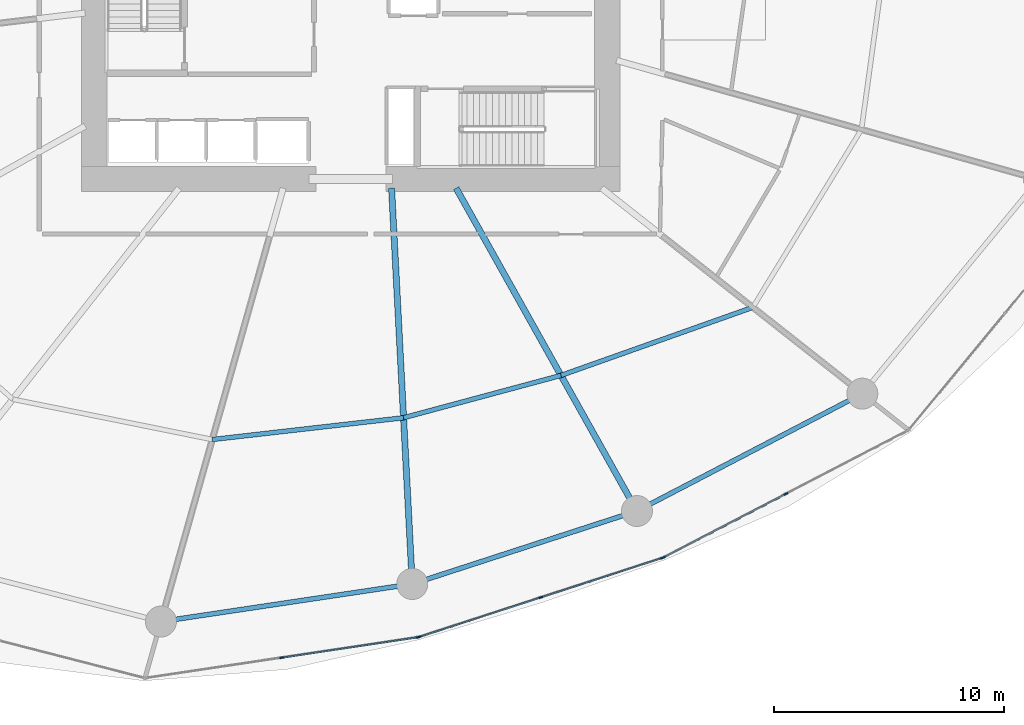
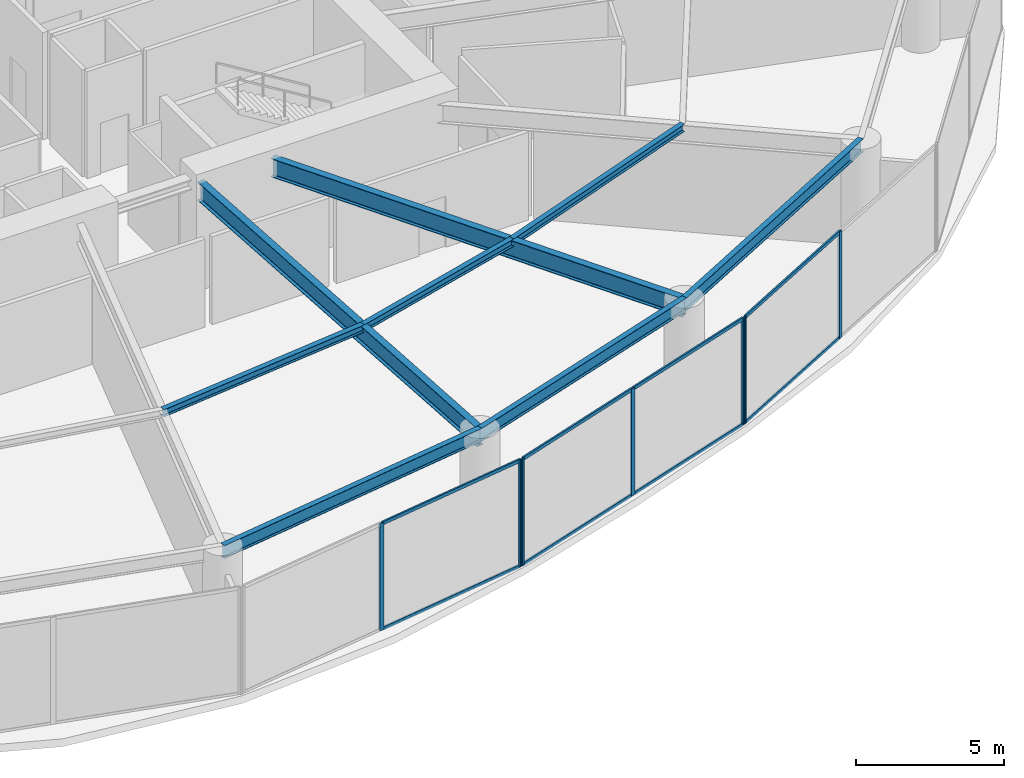
# One storey, part 9 of 22: 15 members, 8 beams, 3 elements without a shape of their own.
"""IFC4 building model written with IfcOpenShell, lengths in metres."""

from ifc_helpers import new_model, si_unit, direction, frame, origin, origin_2d, place, context, subcontext, project, spatial, rectangle, i_section, extrude, material, layer, layer_set, material_profile, profile_set, type_object, element, aggregate, save


model = new_model("IFC4")

# Units and contexts
model_context = context("Model", 3, precision=1e-05, world=origin(), true_north=direction((0.0, 1.0)))
body_context = subcontext(model_context, "Body", "Model", "MODEL_VIEW")
ifc_project = project(units=[si_unit("LENGTHUNIT", "METRE"), si_unit("AREAUNIT", "SQUARE_METRE"), si_unit("VOLUMEUNIT", "CUBIC_METRE"), si_unit("PLANEANGLEUNIT", "RADIAN"), si_unit("MASSUNIT", "GRAM", prefix="KILO")], contexts=[model_context])

# Site, building, storey
site_placement = place(None, origin())
site = spatial("IfcSite", under=ifc_project, at=site_placement, CompositionType="ELEMENT")
building_placement = place(site_placement, origin())
building = spatial("IfcBuilding", under=site, at=building_placement, Name="Kazma Halo Residences", CompositionType="ELEMENT")
storey_placement = place(building_placement, frame((0.0, 0.0, 16.800048828125)))
storey = spatial("IfcBuildingStorey", under=building, at=storey_placement, Name="L03", CompositionType="ELEMENT", Elevation=16.800048828125)

# Beams
ifc_material_1 = material(Name="Steel S355", Category="steel")
ifc_material_profile_1 = material_profile(ifc_material_1, i_section(OverallWidth=0.26708984375, OverallDepth=0.761962890625, WebThickness=0.014404296875, FlangeThickness=0.021484375, FilletRadius=0.02001953125, at=origin_2d()), Name="W760x173")
ifc_profile_set_1 = profile_set([ifc_material_profile_1], Name="Steel S355")
beam_type_1 = type_object("IfcBeamType", Name="BM-POD-W760", PredefinedType="BEAM", material=ifc_profile_set_1)
beam_1_placement = place(storey_placement, frame((50.199951171875, 33.050048828125, 4.01904296875), z_axis=(0.052151471652, -0.998639186095, 0.0), x_axis=(0.998639186095, 0.052151471652, 0.0)))
element("IfcBeam", 1, at=beam_1_placement, inside=storey, type_object=beam_type_1, Name="L03 radial floor beam 12", PredefinedType="BEAM", context=body_context, shape_type="SweptSolid", body=[
    extrude(i_section(OverallWidth=0.26708984375, OverallDepth=0.761962890625, WebThickness=0.014404296875, FlangeThickness=0.021484375, FilletRadius=0.02001953125, at=origin_2d()), origin(), (0.0, 0.0, 1.0), 17.26953125),
])
beam_2_placement = place(storey_placement, frame((53.01220703125, 33.050048828125, 4.01904296875), z_axis=(0.488623198121, -0.872494911308, 0.0), x_axis=(0.872494911308, 0.488623198121, 0.0)))
element("IfcBeam", 2, at=beam_2_placement, inside=storey, type_object=beam_type_1, Name="L03 radial floor beam 13", PredefinedType="BEAM", context=body_context, shape_type="SweptSolid", body=[
    extrude(i_section(OverallWidth=0.26708984375, OverallDepth=0.761962890625, WebThickness=0.014404296875, FlangeThickness=0.021484375, FilletRadius=0.02001953125, at=origin_2d()), origin(), (0.0, 0.0, 1.0), 16.12109375),
])
ifc_material_profile_2 = material_profile(ifc_material_1, i_section(OverallWidth=0.202880859375, OverallDepth=0.302978515625, WebThickness=0.007568359375, FlangeThickness=0.01318359375, FilletRadius=0.013916015625, at=origin_2d()), Name="W310x60")
ifc_profile_set_2 = profile_set([ifc_material_profile_2], Name="Steel S355")
beam_type_2 = type_object("IfcBeamType", Name="BM-SEC-W310A", PredefinedType="JOIST", material=ifc_profile_set_2)
beam_3_placement = place(storey_placement, frame((42.38720703125, 22.098876953125, 4.24853515625), z_axis=(0.993587805197, 0.113063138842, 0.0), x_axis=(-0.113063138842, 0.993587805197, 0.0)))
element("IfcBeam", 3, at=beam_3_placement, inside=storey, type_object=beam_type_2, Name="L03 circumferential floor joist 11", PredefinedType="JOIST", context=body_context, shape_type="SweptSolid", body=[
    extrude(i_section(OverallWidth=0.202880859375, OverallDepth=0.302978515625, WebThickness=0.007568359375, FlangeThickness=0.01318359375, FilletRadius=0.013916015625, at=origin_2d()), origin(), (0.0, 0.0, 1.0), 8.388916015625),
])
beam_4_placement = place(storey_placement, frame((50.722412109375, 23.04736328125, 4.24853515625), z_axis=(0.965678128269, 0.259741703588, 0.0), x_axis=(-0.259741703588, 0.965678128269, 0.0)))
element("IfcBeam", 4, at=beam_4_placement, inside=storey, type_object=beam_type_2, Name="L03 circumferential floor joist 12", PredefinedType="JOIST", context=body_context, shape_type="SweptSolid", body=[
    extrude(i_section(OverallWidth=0.202880859375, OverallDepth=0.302978515625, WebThickness=0.007568359375, FlangeThickness=0.01318359375, FilletRadius=0.013916015625, at=origin_2d()), origin(), (0.0, 0.0, 1.0), 7.10205078125),
])
beam_5_placement = place(storey_placement, frame((57.580810546875, 24.89208984375, 4.24853515625), z_axis=(0.942441737122, 0.334370411567, 0.0), x_axis=(-0.334370411567, 0.942441737122, 0.0)))
element("IfcBeam", 5, at=beam_5_placement, inside=storey, type_object=beam_type_2, Name="L03 circumferential floor joist 13", PredefinedType="JOIST", context=body_context, shape_type="SweptSolid", body=[
    extrude(i_section(OverallWidth=0.202880859375, OverallDepth=0.302978515625, WebThickness=0.007568359375, FlangeThickness=0.01318359375, FilletRadius=0.013916015625, at=origin_2d()), origin(), (0.0, 0.0, 1.0), 8.869140625),
])
ifc_material_profile_3 = material_profile(ifc_material_1, i_section(OverallWidth=0.208984375, OverallDepth=0.532958984375, WebThickness=0.01025390625, FlangeThickness=0.015625, FilletRadius=0.01611328125, at=origin_2d()), Name="W530x92")
ifc_profile_set_3 = profile_set([ifc_material_profile_3], Name="Steel S355")
beam_type_3 = type_object("IfcBeamType", Name="BM-SPN-W530", PredefinedType="BEAM", material=ifc_profile_set_3)
beam_6_placement = place(storey_placement, frame((40.15087890625, 14.168701171875, 4.133544921875), z_axis=(0.989031581018, 0.14770420356, 0.0), x_axis=(-0.14770420356, 0.989031581018, 0.0)))
element("IfcBeam", 6, at=beam_6_placement, inside=storey, type_object=beam_type_3, Name="L03 perimeter ring beam 11", PredefinedType="BEAM", context=body_context, shape_type="SweptSolid", body=[
    extrude(i_section(OverallWidth=0.208984375, OverallDepth=0.532958984375, WebThickness=0.01025390625, FlangeThickness=0.015625, FilletRadius=0.01611328125, at=origin_2d()), origin(), (0.0, 0.0, 1.0), 11.071044921875),
])
beam_7_placement = place(storey_placement, frame((51.1005859375, 15.803955078125, 4.133544921875), z_axis=(0.951061083857, 0.309002936511, 0.0), x_axis=(-0.309002936511, 0.951061083857, 0.0)))
element("IfcBeam", 7, at=beam_7_placement, inside=storey, type_object=beam_type_3, Name="L03 perimeter ring beam 12", PredefinedType="BEAM", context=body_context, shape_type="SweptSolid", body=[
    extrude(i_section(OverallWidth=0.208984375, OverallDepth=0.532958984375, WebThickness=0.01025390625, FlangeThickness=0.015625, FilletRadius=0.01611328125, at=origin_2d()), origin(), (0.0, 0.0, 1.0), 10.29248046875),
])
beam_8_placement = place(storey_placement, frame((60.889404296875, 18.984375, 4.133544921875), z_axis=(0.886954171981, 0.461857442082, 0.0), x_axis=(-0.461857442082, 0.886954171981, 0.0)))
element("IfcBeam", 8, at=beam_8_placement, inside=storey, type_object=beam_type_3, Name="L03 perimeter ring beam 13", PredefinedType="BEAM", context=body_context, shape_type="SweptSolid", body=[
    extrude(i_section(OverallWidth=0.208984375, OverallDepth=0.532958984375, WebThickness=0.01025390625, FlangeThickness=0.015625, FilletRadius=0.01611328125, at=origin_2d()), origin(), (0.0, 0.0, 1.0), 11.071044921875),
])

# Curtain wall, members
ifc_material_2 = material(Name="Aluminium AW-6063 T6 and Triple-Silver Low-E Glass", Category="aluminium")
ifc_layer = layer(ifc_material_2, 0.179931640625)
ifc_layer_set = layer_set([ifc_layer], Name="Aluminium AW-6063 T6 and Triple-Silver Low-E Glass")
curtain_wall_type = type_object("IfcCurtainWallType", Name="CW-SYS-1", PredefinedType="NOTDEFINED", material=ifc_layer_set)
curtain_wall_1_placement = place(storey_placement, origin())
curtain_wall_1 = element("IfcCurtainWall", 9, at=curtain_wall_1_placement, inside=storey, type_object=curtain_wall_type, Name="L03 unitised curtain wall B11", PredefinedType="NOTDEFINED")
ifc_material_3 = material(Name="Aluminium AW-6063 T6", Category="aluminium")
ifc_material_profile_4 = material_profile(ifc_material_3, rectangle(XDim=0.06494140625, YDim=0.179931640625, at=origin_2d()), Name="CWM-65x180")
ifc_profile_set_4 = profile_set([ifc_material_profile_4], Name="Aluminium AW-6063 T6")
member_type_1 = type_object("IfcMemberType", Name="CW-SYS-1-MUL", PredefinedType="MULLION", material=ifc_profile_set_4)
member_1_placement = place(storey_placement, frame((45.414306640625, 12.59423828125, 0.0), z_axis=(0.0, 0.0, 1.0), x_axis=(-0.148548966342, 0.988905053379, 0.0)))
member_1 = element("IfcMember", 10, at=member_1_placement, type_object=member_type_1, Name="CWS-1 mullion 2", PredefinedType="MULLION", context=body_context, shape_type="SweptSolid", body=[
    extrude(rectangle(XDim=0.06494140625, YDim=0.179931640625, at=origin_2d()), origin(), (0.0, 0.0, 1.0), 4.39990234375),
])
member_2_placement = place(storey_placement, frame((51.34228515625, 13.484619140625, 0.0), z_axis=(0.0, 0.0, 1.0), x_axis=(-0.148548966342, 0.988905053379, 0.0)))
member_2 = element("IfcMember", 11, at=member_2_placement, type_object=member_type_1, Name="CWS-1 mullion 3", PredefinedType="MULLION", context=body_context, shape_type="SweptSolid", body=[
    extrude(rectangle(XDim=0.06494140625, YDim=0.179931640625, at=origin_2d()), origin(), (0.0, 0.0, 1.0), 4.39990234375),
])

curtain_wall_2_placement = place(storey_placement, origin())
curtain_wall_2 = element("IfcCurtainWall", 12, at=curtain_wall_2_placement, inside=storey, type_object=curtain_wall_type, Name="L03 unitised curtain wall B12", PredefinedType="NOTDEFINED")
member_3_placement = place(storey_placement, frame((51.4052734375, 13.49951171875, 0.0), z_axis=(0.0, 0.0, 1.0), x_axis=(-0.309017239211, 0.951056436743, 0.0)))
member_3 = element("IfcMember", 13, at=member_3_placement, type_object=member_type_1, Name="CWS-1 mullion 1", PredefinedType="MULLION", context=body_context, shape_type="SweptSolid", body=[
    extrude(rectangle(XDim=0.06494140625, YDim=0.179931640625, at=origin_2d()), origin(), (0.0, 0.0, 1.0), 4.39990234375),
])
member_4_placement = place(storey_placement, frame((56.701171875, 15.22021484375, 0.0), z_axis=(0.0, 0.0, 1.0), x_axis=(-0.309017239211, 0.951056436743, 0.0)))
member_4 = element("IfcMember", 14, at=member_4_placement, type_object=member_type_1, Name="CWS-1 mullion 2", PredefinedType="MULLION", context=body_context, shape_type="SweptSolid", body=[
    extrude(rectangle(XDim=0.06494140625, YDim=0.179931640625, at=origin_2d()), origin(), (0.0, 0.0, 1.0), 4.39990234375),
])
member_5_placement = place(storey_placement, frame((61.9970703125, 16.941162109375, 0.0), z_axis=(0.0, 0.0, 1.0), x_axis=(-0.309017239211, 0.951056436743, 0.0)))
member_5 = element("IfcMember", 15, at=member_5_placement, type_object=member_type_1, Name="CWS-1 mullion 3", PredefinedType="MULLION", context=body_context, shape_type="SweptSolid", body=[
    extrude(rectangle(XDim=0.06494140625, YDim=0.179931640625, at=origin_2d()), origin(), (0.0, 0.0, 1.0), 4.39990234375),
])

curtain_wall_3_placement = place(storey_placement, origin())
curtain_wall_3 = element("IfcCurtainWall", 16, at=curtain_wall_3_placement, inside=storey, type_object=curtain_wall_type, Name="L03 unitised curtain wall B13", PredefinedType="NOTDEFINED")
member_6_placement = place(storey_placement, frame((62.056884765625, 16.966064453125, 0.0), z_axis=(0.0, 0.0, 1.0), x_axis=(-0.46108680311, 0.887355036047, 0.0)))
member_6 = element("IfcMember", 17, at=member_6_placement, type_object=member_type_1, Name="CWS-1 mullion 1", PredefinedType="MULLION", context=body_context, shape_type="SweptSolid", body=[
    extrude(rectangle(XDim=0.06494140625, YDim=0.179931640625, at=origin_2d()), origin(), (0.0, 0.0, 1.0), 4.39990234375),
])
member_7_placement = place(storey_placement, frame((67.376220703125, 19.72998046875, 0.0), z_axis=(0.0, 0.0, 1.0), x_axis=(-0.46108680311, 0.887355036047, 0.0)))
member_7 = element("IfcMember", 18, at=member_7_placement, type_object=member_type_1, Name="CWS-1 mullion 2", PredefinedType="MULLION", context=body_context, shape_type="SweptSolid", body=[
    extrude(rectangle(XDim=0.06494140625, YDim=0.179931640625, at=origin_2d()), origin(), (0.0, 0.0, 1.0), 4.39990234375),
])

# Member
ifc_material_profile_5 = material_profile(ifc_material_3, rectangle(XDim=0.06494140625, YDim=0.135009765625, at=origin_2d()), Name="CWT-65x135")
ifc_profile_set_5 = profile_set([ifc_material_profile_5], Name="Aluminium AW-6063 T6")
member_type_2 = type_object("IfcMemberType", Name="CW-SYS-1-TRN", PredefinedType="USERDEFINED", material=ifc_profile_set_5)
member_8_placement = place(storey_placement, frame((45.446533203125, 12.59912109375, 0.032470703125), z_axis=(0.988909456852, 0.148519649035, 0.0), x_axis=(-0.148519649035, 0.988909456852, 0.0)))
member_8 = element("IfcMember", 19, at=member_8_placement, type_object=member_type_2, Name="CWS-1 transom 2.1", ObjectType="TRANSOM", PredefinedType="USERDEFINED", context=body_context, shape_type="SweptSolid", body=[
    extrude(rectangle(XDim=0.06494140625, YDim=0.135009765625, at=origin_2d()), origin(), (0.0, 0.0, 1.0), 5.92919921875),
])

member_9_placement = place(storey_placement, frame((45.446533203125, 12.59912109375, 4.367431640625), z_axis=(0.988909456852, 0.148519649035, 0.0), x_axis=(-0.148519649035, 0.988909456852, 0.0)))
member_9 = element("IfcMember", 20, at=member_9_placement, type_object=member_type_2, Name="CWS-1 transom 2.2", ObjectType="TRANSOM", PredefinedType="USERDEFINED", context=body_context, shape_type="SweptSolid", body=[
    extrude(rectangle(XDim=0.06494140625, YDim=0.135009765625, at=origin_2d()), origin(), (0.0, 0.0, 1.0), 5.92919921875),
])

aggregate(curtain_wall_1, [member_1, member_2, member_8, member_9])

member_10_placement = place(storey_placement, frame((51.436279296875, 13.509521484375, 0.032470703125), z_axis=(0.951055908328, 0.309018865498, 0.0), x_axis=(-0.309018865498, 0.951055908328, 0.0)))
member_10 = element("IfcMember", 21, at=member_10_placement, type_object=member_type_2, Name="CWS-1 transom 1.1", ObjectType="TRANSOM", PredefinedType="USERDEFINED", context=body_context, shape_type="SweptSolid", body=[
    extrude(rectangle(XDim=0.06494140625, YDim=0.135009765625, at=origin_2d()), origin(), (0.0, 0.0, 1.0), 5.50341796875),
])

member_11_placement = place(storey_placement, frame((51.436279296875, 13.509521484375, 4.367431640625), z_axis=(0.951055908328, 0.309018865498, 0.0), x_axis=(-0.309018865498, 0.951055908328, 0.0)))
member_11 = element("IfcMember", 22, at=member_11_placement, type_object=member_type_2, Name="CWS-1 transom 1.2", ObjectType="TRANSOM", PredefinedType="USERDEFINED", context=body_context, shape_type="SweptSolid", body=[
    extrude(rectangle(XDim=0.06494140625, YDim=0.135009765625, at=origin_2d()), origin(), (0.0, 0.0, 1.0), 5.50341796875),
])

member_12_placement = place(storey_placement, frame((56.732177734375, 15.230224609375, 0.032470703125), z_axis=(0.951055908328, 0.309018865498, 0.0), x_axis=(-0.309018865498, 0.951055908328, 0.0)))
member_12 = element("IfcMember", 23, at=member_12_placement, type_object=member_type_2, Name="CWS-1 transom 2.1", ObjectType="TRANSOM", PredefinedType="USERDEFINED", context=body_context, shape_type="SweptSolid", body=[
    extrude(rectangle(XDim=0.06494140625, YDim=0.135009765625, at=origin_2d()), origin(), (0.0, 0.0, 1.0), 5.50341796875),
])

member_13_placement = place(storey_placement, frame((56.732177734375, 15.230224609375, 4.367431640625), z_axis=(0.951055908328, 0.309018865498, 0.0), x_axis=(-0.309018865498, 0.951055908328, 0.0)))
member_13 = element("IfcMember", 24, at=member_13_placement, type_object=member_type_2, Name="CWS-1 transom 2.2", ObjectType="TRANSOM", PredefinedType="USERDEFINED", context=body_context, shape_type="SweptSolid", body=[
    extrude(rectangle(XDim=0.06494140625, YDim=0.135009765625, at=origin_2d()), origin(), (0.0, 0.0, 1.0), 5.50341796875),
])

aggregate(curtain_wall_2, [member_3, member_4, member_5, member_10, member_11, member_12, member_13])

member_14_placement = place(storey_placement, frame((62.085693359375, 16.98095703125, 0.032470703125), z_axis=(0.887352259256, 0.461092146966, 0.0), x_axis=(-0.461092146966, 0.887352259256, 0.0)))
member_14 = element("IfcMember", 25, at=member_14_placement, type_object=member_type_2, Name="CWS-1 transom 1.1", ObjectType="TRANSOM", PredefinedType="USERDEFINED", context=body_context, shape_type="SweptSolid", body=[
    extrude(rectangle(XDim=0.06494140625, YDim=0.135009765625, at=origin_2d()), origin(), (0.0, 0.0, 1.0), 5.9296875),
])

member_15_placement = place(storey_placement, frame((62.085693359375, 16.98095703125, 4.367431640625), z_axis=(0.887352259256, 0.461092146966, 0.0), x_axis=(-0.461092146966, 0.887352259256, 0.0)))
member_15 = element("IfcMember", 26, at=member_15_placement, type_object=member_type_2, Name="CWS-1 transom 1.2", ObjectType="TRANSOM", PredefinedType="USERDEFINED", context=body_context, shape_type="SweptSolid", body=[
    extrude(rectangle(XDim=0.06494140625, YDim=0.135009765625, at=origin_2d()), origin(), (0.0, 0.0, 1.0), 5.9296875),
])

aggregate(curtain_wall_3, [member_6, member_7, member_14, member_15])

save(model, "model.ifc")
